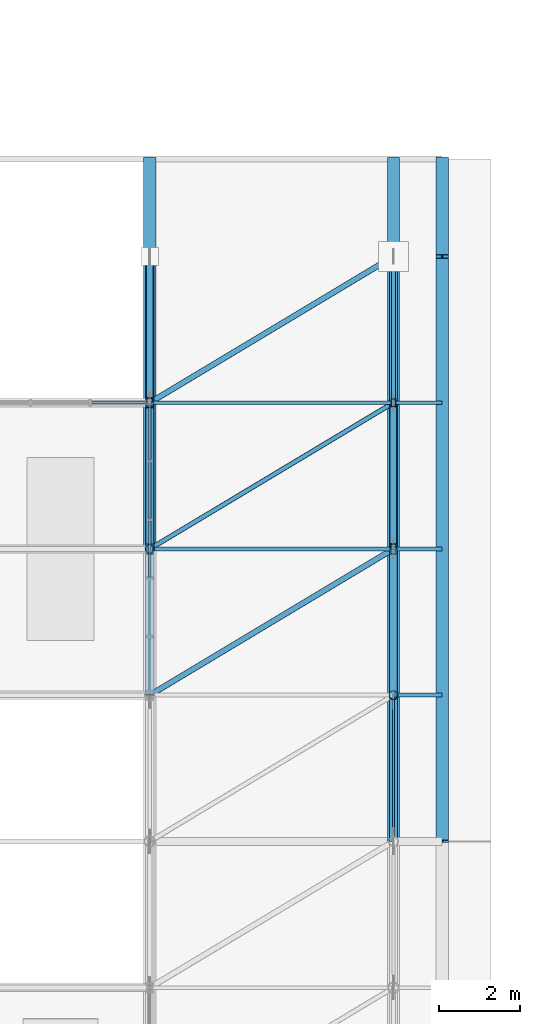
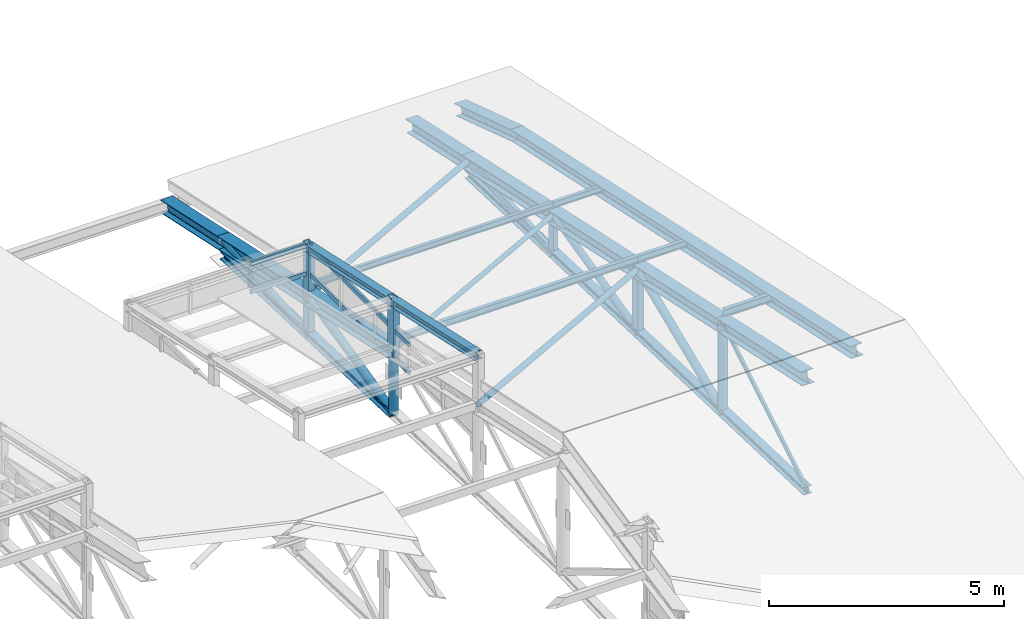
# One storey, part 45 of 124: 46 members, 2 elements without a shape of their own.
"""IFC4 building model written with IfcOpenShell, lengths in metres."""

from ifc_helpers import new_model, si_unit, direction, frame, origin, origin_2d, place, context, subcontext, project, spatial, hollow_rectangle, hollow_circle, i_section, extrude, material, layer, layer_set, material_profile, profile_set, type_object, element, aggregate, save


model = new_model("IFC4")

# Units and contexts
model_context = context("Model", 3, precision=1e-05, world=origin(), true_north=direction((0.0, 1.0)))
body_context = subcontext(model_context, "Body", "Model", "MODEL_VIEW")
ifc_project = project(units=[si_unit("LENGTHUNIT", "METRE"), si_unit("AREAUNIT", "SQUARE_METRE"), si_unit("VOLUMEUNIT", "CUBIC_METRE"), si_unit("PLANEANGLEUNIT", "RADIAN"), si_unit("MASSUNIT", "GRAM", prefix="KILO"), si_unit("THERMODYNAMICTEMPERATUREUNIT", "KELVIN"), si_unit("POWERUNIT", "WATT")], contexts=[model_context])

# Site, building, storey
site_placement = place(None, origin())
site = spatial("IfcSite", under=ifc_project, at=site_placement, CompositionType="ELEMENT")
building_placement = place(site_placement, origin())
building = spatial("IfcBuilding", under=site, at=building_placement, Name="Tavuni Mirador Residences", CompositionType="ELEMENT")
storey_placement = place(building_placement, frame((0.0, 0.0, 7.64990234375)))
storey = spatial("IfcBuildingStorey", under=building, at=storey_placement, Name="L02", CompositionType="ELEMENT", Elevation=7.64990234375)

# Curtain wall, members
ifc_material_1 = material(Name="Anodised aluminium", Category="aluminium")
ifc_layer = layer(ifc_material_1, 0.199951171875, Name="Anodised aluminium", Category="aluminium")
ifc_layer_set = layer_set([ifc_layer], Name="Anodised aluminium")
curtain_wall_type = type_object("IfcCurtainWallType", Name="CWT-HAL-01", PredefinedType="NOTDEFINED", material=ifc_layer_set)
curtain_wall_1_placement = place(storey_placement, origin())
curtain_wall_1 = element("IfcCurtainWall", 1, at=curtain_wall_1_placement, inside=storey, type_object=curtain_wall_type, Name="CW-HALL-MON-N3-E", PredefinedType="NOTDEFINED")
ifc_material_profile_1 = material_profile(ifc_material_1, hollow_rectangle(XDim=0.06005859375, YDim=0.110107421875, WallThickness=0.00390625, at=origin_2d()), Name="ALU 60x110x4.0", Category="aluminium")
ifc_profile_set_1 = profile_set([ifc_material_profile_1], Name="Anodised aluminium")
member_type_1 = type_object("IfcMemberType", Name="CWT-110", PredefinedType="USERDEFINED", material=ifc_profile_set_1)
member_1_placement = place(storey_placement, frame((68.39990234375, 92.909912109375, 1.205078125), z_axis=(0.0, 1.0, 0.0), x_axis=(-1.0, 0.0, 0.0)))
member_1 = element("IfcMember", 2, at=member_1_placement, type_object=member_type_1, Name="CW-06 transom 3.1", ObjectType="TRANSOM", PredefinedType="USERDEFINED", context=body_context, shape_type="SweptSolid", body=[
    extrude(hollow_rectangle(XDim=0.06005859375, YDim=0.110107421875, WallThickness=0.00390625, at=origin_2d()), origin(), (0.0, 0.0, 1.0), 1.380126953125),
])
member_2_placement = place(storey_placement, frame((68.39990234375, 92.909912109375, 1.93505859375), z_axis=(0.0, 1.0, 0.0), x_axis=(-1.0, 0.0, 0.0)))
member_2 = element("IfcMember", 3, at=member_2_placement, type_object=member_type_1, Name="CW-06 transom 3.2", ObjectType="TRANSOM", PredefinedType="USERDEFINED", context=body_context, shape_type="SweptSolid", body=[
    extrude(hollow_rectangle(XDim=0.06005859375, YDim=0.110107421875, WallThickness=0.00390625, at=origin_2d()), origin(), (0.0, 0.0, 1.0), 1.380126953125),
])
member_3_placement = place(storey_placement, frame((68.39990234375, 94.35009765625, 1.205078125), z_axis=(0.0, 1.0, 0.0), x_axis=(-1.0, 0.0, 0.0)))
member_3 = element("IfcMember", 4, at=member_3_placement, type_object=member_type_1, Name="CW-06 transom 4.1", ObjectType="TRANSOM", PredefinedType="USERDEFINED", context=body_context, shape_type="SweptSolid", body=[
    extrude(hollow_rectangle(XDim=0.06005859375, YDim=0.110107421875, WallThickness=0.00390625, at=origin_2d()), origin(), (0.0, 0.0, 1.0), 1.3798828125),
])
member_4_placement = place(storey_placement, frame((68.39990234375, 94.35009765625, 1.93505859375), z_axis=(0.0, 1.0, 0.0), x_axis=(-1.0, 0.0, 0.0)))
member_4 = element("IfcMember", 5, at=member_4_placement, type_object=member_type_1, Name="CW-06 transom 4.2", ObjectType="TRANSOM", PredefinedType="USERDEFINED", context=body_context, shape_type="SweptSolid", body=[
    extrude(hollow_rectangle(XDim=0.06005859375, YDim=0.110107421875, WallThickness=0.00390625, at=origin_2d()), origin(), (0.0, 0.0, 1.0), 1.3798828125),
])
member_5_placement = place(storey_placement, frame((68.39990234375, 95.7900390625, 1.205078125), z_axis=(0.0, 1.0, 0.0), x_axis=(-1.0, 0.0, 0.0)))
member_5 = element("IfcMember", 6, at=member_5_placement, type_object=member_type_1, Name="CW-06 transom 5.1", ObjectType="TRANSOM", PredefinedType="USERDEFINED", context=body_context, shape_type="SweptSolid", body=[
    extrude(hollow_rectangle(XDim=0.06005859375, YDim=0.110107421875, WallThickness=0.00390625, at=origin_2d()), origin(), (0.0, 0.0, 1.0), 1.349853515625),
])
member_6_placement = place(storey_placement, frame((68.39990234375, 95.7900390625, 1.93505859375), z_axis=(0.0, 1.0, 0.0), x_axis=(-1.0, 0.0, 0.0)))
member_6 = element("IfcMember", 7, at=member_6_placement, type_object=member_type_1, Name="CW-06 transom 5.2", ObjectType="TRANSOM", PredefinedType="USERDEFINED", context=body_context, shape_type="SweptSolid", body=[
    extrude(hollow_rectangle(XDim=0.06005859375, YDim=0.110107421875, WallThickness=0.00390625, at=origin_2d()), origin(), (0.0, 0.0, 1.0), 1.349853515625),
])
aggregate(curtain_wall_1, [member_1, member_2, member_3, member_4, member_5, member_6])

curtain_wall_2_placement = place(storey_placement, origin())
curtain_wall_2 = element("IfcCurtainWall", 8, at=curtain_wall_2_placement, inside=storey, type_object=curtain_wall_type, Name="CW-HALL-MON-N3-END", PredefinedType="NOTDEFINED")
member_7_placement = place(storey_placement, frame((66.96337890625, 97.199951171875, 1.205078125), z_axis=(1.0, 0.0, 0.0), x_axis=(0.0, 1.0, 0.0)))
member_7 = element("IfcMember", 9, at=member_7_placement, type_object=member_type_1, Name="CW-06 transom 3.1", ObjectType="TRANSOM", PredefinedType="USERDEFINED", context=body_context, shape_type="SweptSolid", body=[
    extrude(hollow_rectangle(XDim=0.06005859375, YDim=0.110107421875, WallThickness=0.00390625, at=origin_2d()), origin(), (0.0, 0.0, 1.0), 1.376708984375),
])
member_8_placement = place(storey_placement, frame((66.96337890625, 97.199951171875, 1.93505859375), z_axis=(1.0, 0.0, 0.0), x_axis=(0.0, 1.0, 0.0)))
member_8 = element("IfcMember", 10, at=member_8_placement, type_object=member_type_1, Name="CW-06 transom 3.2", ObjectType="TRANSOM", PredefinedType="USERDEFINED", context=body_context, shape_type="SweptSolid", body=[
    extrude(hollow_rectangle(XDim=0.06005859375, YDim=0.110107421875, WallThickness=0.00390625, at=origin_2d()), origin(), (0.0, 0.0, 1.0), 1.376708984375),
])
aggregate(curtain_wall_2, [member_7, member_8])

# Members
ifc_material_2 = material(Name="Structural steel S355", Category="steel")
ifc_material_profile_2 = material_profile(ifc_material_2, hollow_circle(Radius=0.05712890625, WallThickness=0.00634765625, at=origin_2d()), Name="CHS 114.3x6.3", Category="steel")
ifc_profile_set_2 = profile_set([ifc_material_profile_2], Name="Structural steel S355")
member_type_2 = type_object("IfcMemberType", Name="MT-BR-CHS114", PredefinedType="BRACE", material=ifc_profile_set_2)
member_9_placement = place(storey_placement, frame((68.39990234375, 93.60009765625, 1.380126953125), z_axis=(0.852288226605, 0.511352128145, -0.110108037088), x_axis=(-0.51448036188, 0.857502161653, 0.0)))
element("IfcMember", 11, at=member_9_placement, inside=storey, type_object=member_type_2, Name="HALL-RB-4-07", PredefinedType="BRACE", context=body_context, shape_type="SweptSolid", body=[
    extrude(hollow_circle(Radius=0.05712890625, WallThickness=0.00634765625, at=origin_2d()), origin(), (0.0, 0.0, 1.0), 7.039794921875),
])
ifc_material_profile_3 = material_profile(ifc_material_2, hollow_circle(Radius=0.06982421875, WallThickness=0.008056640625, at=origin_2d()), Name="CHS 139.7x8.0", Category="steel")
ifc_profile_set_3 = profile_set([ifc_material_profile_3], Name="Structural steel S355")
member_type_3 = type_object("IfcMemberType", Name="MT-BR-CHS139", PredefinedType="BRACE", material=ifc_profile_set_3)
for number, where, z_axis, x_axis, name in (
    (12, (68.39990234375, 90.0, 2.155029296875), (0.852276366217, 0.511379691416, -0.110071825617), (-0.514506017516, 0.857486768376, 0.0), "HALL-RB-4-06"),
    (13, (68.39990234375, 97.199951171875, 0.60498046875), (0.852276366217, 0.511379691416, -0.110071825617), (-0.514506017516, 0.857486768376, 0.0), "HALL-RB-4-08"),
):
    element("IfcMember", number, at=place(storey_placement, frame(where, z_axis=z_axis, x_axis=x_axis)), inside=storey, type_object=member_type_3, Name=name, PredefinedType="BRACE", context=body_context, shape_type="SweptSolid", body=[
        extrude(hollow_circle(Radius=0.06982421875, WallThickness=0.008056640625, at=origin_2d()), origin(), (0.0, 0.0, 1.0), 7.0400390625),
    ])
ifc_material_profile_4 = material_profile(ifc_material_2, hollow_circle(Radius=0.084228515625, WallThickness=0.008056640625, at=origin_2d()), Name="CHS 168.3x8.0", Category="steel")
ifc_profile_set_4 = profile_set([ifc_material_profile_4], Name="Structural steel S355")
member_type_4 = type_object("IfcMemberType", Name="MT-BR-CHS168", PredefinedType="BRACE", material=ifc_profile_set_4)
member_10_placement = place(storey_placement, frame((68.39990234375, 97.199951171875, -0.375), z_axis=(0.0, 0.998381455169, 0.05687240081), x_axis=(-1.0, 0.0, 0.0)))
element("IfcMember", 14, at=member_10_placement, inside=storey, type_object=member_type_4, Name="Roof truss TR-7 web diagonal 8", PredefinedType="BRACE", context=body_context, shape_type="SweptSolid", body=[
    extrude(hollow_circle(Radius=0.084228515625, WallThickness=0.008056640625, at=origin_2d()), origin(), (0.0, 0.0, 1.0), 3.60595703125),
])
member_11_placement = place(storey_placement, frame((74.39990234375, 93.60009765625, -0.25), z_axis=(0.0, 0.972935623557, 0.231076334601), x_axis=(-1.0, 0.0, 0.0)))
element("IfcMember", 15, at=member_11_placement, inside=storey, type_object=member_type_4, Name="Roof truss TR-8 web diagonal 7", PredefinedType="BRACE", context=body_context, shape_type="SweptSolid", body=[
    extrude(hollow_circle(Radius=0.084228515625, WallThickness=0.008056640625, at=origin_2d()), origin(), (0.0, 0.0, 1.0), 3.699951171875),
])
ifc_material_profile_5 = material_profile(ifc_material_2, hollow_circle(Radius=0.096923828125, WallThickness=0.010009765625, at=origin_2d()), Name="CHS 193.7x10.0", Category="steel")
ifc_profile_set_5 = profile_set([ifc_material_profile_5], Name="Structural steel S355")
member_type_5 = type_object("IfcMemberType", Name="MT-BR-CHS193", PredefinedType="BRACE", material=ifc_profile_set_5)
member_12_placement = place(storey_placement, frame((68.39990234375, 93.60009765625, -0.25), z_axis=(0.0, 0.972935623557, 0.231076334601), x_axis=(-1.0, 0.0, 0.0)))
element("IfcMember", 16, at=member_12_placement, inside=storey, type_object=member_type_5, Name="Roof truss TR-7 web diagonal 7", PredefinedType="BRACE", context=body_context, shape_type="SweptSolid", body=[
    extrude(hollow_circle(Radius=0.096923828125, WallThickness=0.010009765625, at=origin_2d()), origin(), (0.0, 0.0, 1.0), 3.699951171875),
])
member_13_placement = place(storey_placement, frame((74.39990234375, 90.0, -0.125), z_axis=(0.0, 0.922613480979, 0.385725763613), x_axis=(-1.0, 0.0, 0.0)))
element("IfcMember", 17, at=member_13_placement, inside=storey, type_object=member_type_5, Name="Roof truss TR-8 web diagonal 6", PredefinedType="BRACE", context=body_context, shape_type="SweptSolid", body=[
    extrude(hollow_circle(Radius=0.096923828125, WallThickness=0.010009765625, at=origin_2d()), origin(), (0.0, 0.0, 1.0), 3.902099609375),
])
ifc_material_profile_6 = material_profile(ifc_material_2, hollow_rectangle(XDim=0.06005859375, YDim=0.10009765625, WallThickness=0.0048828125, at=origin_2d()), Name="RHS 100x60x5.0", Category="steel")
ifc_profile_set_6 = profile_set([ifc_material_profile_6], Name="Structural steel S355")
member_type_6 = type_object("IfcMemberType", Name="MT-BR-RHS100", PredefinedType="BRACE", material=ifc_profile_set_6)
member_14_placement = place(storey_placement, frame((74.39990234375, 86.39990234375, 0.0), z_axis=(0.0, 0.858021287319, 0.513614126079), x_axis=(-1.0, 0.0, 0.0)))
element("IfcMember", 18, at=member_14_placement, inside=storey, type_object=member_type_6, Name="Roof truss TR-8 web diagonal 5", PredefinedType="BRACE", context=body_context, shape_type="SweptSolid", body=[
    extrude(hollow_rectangle(XDim=0.06005859375, YDim=0.10009765625, WallThickness=0.0048828125, at=origin_2d()), origin(), (0.0, 0.0, 1.0), 4.19580078125),
])
ifc_material_profile_7 = material_profile(ifc_material_2, hollow_rectangle(XDim=0.10009765625, YDim=0.179931640625, WallThickness=0.008056640625, at=origin_2d()), Name="RHS 180x100x8.0", Category="steel")
ifc_profile_set_7 = profile_set([ifc_material_profile_7], Name="Structural steel S355")
member_type_7 = type_object("IfcMemberType", Name="MT-BR-RHS180", PredefinedType="BRACE", material=ifc_profile_set_7)
member_15_placement = place(storey_placement, frame((74.39990234375, 97.199951171875, -0.375), z_axis=(0.0, 0.998381455169, 0.05687240081), x_axis=(-1.0, 0.0, 0.0)))
element("IfcMember", 19, at=member_15_placement, inside=storey, type_object=member_type_7, Name="Roof truss TR-8 web diagonal 8", PredefinedType="BRACE", context=body_context, shape_type="SweptSolid", body=[
    extrude(hollow_rectangle(XDim=0.10009765625, YDim=0.179931640625, WallThickness=0.008056640625, at=origin_2d()), origin(), (0.0, 0.0, 1.0), 3.60595703125),
])
ifc_material_profile_8 = material_profile(ifc_material_2, i_section(OverallWidth=0.300048828125, OverallDepth=0.2900390625, WebThickness=0.008544921875, FlangeThickness=0.013916015625, FilletRadius=0.027099609375, at=origin_2d()), Name="HEA 300", Category="steel")
ifc_profile_set_8 = profile_set([ifc_material_profile_8], Name="Structural steel S355")
member_type_8 = type_object("IfcMemberType", Name="MT-CH-HEA300", PredefinedType="CHORD", material=ifc_profile_set_8)
member_16_placement = place(storey_placement, frame((75.60009765625, 86.39990234375, 3.195068359375), z_axis=(0.0, 0.977605760984, -0.210444710293), x_axis=(-1.0, 0.0, 0.0)))
element("IfcMember", 20, at=member_16_placement, inside=storey, type_object=member_type_8, Name="HALL-GAB-E-N", PredefinedType="CHORD", context=body_context, shape_type="SweptSolid", body=[
    extrude(i_section(OverallWidth=0.300048828125, OverallDepth=0.2900390625, WebThickness=0.008544921875, FlangeThickness=0.013916015625, FilletRadius=0.027099609375, at=origin_2d()), origin(), (0.0, 0.0, 1.0), 14.72998046875),
])
member_17_placement = place(storey_placement, frame((75.60009765625, 100.800048828125, 0.09521484375), z_axis=(0.0, 0.950827717429, -0.309720279879), x_axis=(-1.0, 0.0, 0.0)))
element("IfcMember", 21, at=member_17_placement, inside=storey, type_object=member_type_8, Name="HALL-GAB-E-EN", PredefinedType="CHORD", context=body_context, shape_type="SweptSolid", body=[
    extrude(i_section(OverallWidth=0.300048828125, OverallDepth=0.2900390625, WebThickness=0.008544921875, FlangeThickness=0.013916015625, FilletRadius=0.027099609375, at=origin_2d()), origin(), (0.0, 0.0, 1.0), 2.52392578125),
])
ifc_material_profile_9 = material_profile(ifc_material_2, i_section(OverallWidth=0.300048828125, OverallDepth=0.330078125, WebThickness=0.009521484375, FlangeThickness=0.0166015625, FilletRadius=0.027099609375, at=origin_2d()), Name="HEA 340", Category="steel")
ifc_profile_set_9 = profile_set([ifc_material_profile_9], Name="Structural steel S355")
member_type_9 = type_object("IfcMemberType", Name="MT-CH-HEA340", PredefinedType="CHORD", material=ifc_profile_set_9)
member_18_placement = place(storey_placement, frame((68.39990234375, 100.800048828125, -0.169921875), z_axis=(0.0, 0.977606968822, -0.210439099291), x_axis=(-1.0, 0.0, 0.0)))
element("IfcMember", 22, at=member_18_placement, inside=storey, type_object=member_type_9, Name="Roof truss TR-7 north eave chord", PredefinedType="CHORD", context=body_context, shape_type="SweptSolid", body=[
    extrude(i_section(OverallWidth=0.300048828125, OverallDepth=0.330078125, WebThickness=0.009521484375, FlangeThickness=0.0166015625, FilletRadius=0.027099609375, at=origin_2d()), origin(), (0.0, 0.0, 1.0), 2.454833984375),
])
member_19_placement = place(storey_placement, frame((68.39990234375, 93.60009765625, 1.380126953125), z_axis=(0.0, 0.977593327089, -0.210502462768), x_axis=(-1.0, 0.0, 0.0)))
element("IfcMember", 23, at=member_19_placement, inside=storey, type_object=member_type_9, Name="Roof truss TR-7 top chord 7", PredefinedType="CHORD", context=body_context, shape_type="SweptSolid", body=[
    extrude(i_section(OverallWidth=0.300048828125, OverallDepth=0.330078125, WebThickness=0.009521484375, FlangeThickness=0.0166015625, FilletRadius=0.027099609375, at=origin_2d()), origin(), (0.0, 0.0, 1.0), 3.682373046875),
])
member_20_placement = place(storey_placement, frame((68.39990234375, 97.199951171875, 0.60498046875), z_axis=(0.0, 0.977609904647, -0.210425460284), x_axis=(-1.0, 0.0, 0.0)))
element("IfcMember", 24, at=member_20_placement, inside=storey, type_object=member_type_9, Name="Roof truss TR-7 top chord 8", PredefinedType="CHORD", context=body_context, shape_type="SweptSolid", body=[
    extrude(i_section(OverallWidth=0.300048828125, OverallDepth=0.330078125, WebThickness=0.009521484375, FlangeThickness=0.0166015625, FilletRadius=0.027099609375, at=origin_2d()), origin(), (0.0, 0.0, 1.0), 3.6826171875),
])
member_21_placement = place(storey_placement, frame((74.39990234375, 100.800048828125, -0.169921875), z_axis=(0.0, 0.977606968822, -0.210439099291), x_axis=(-1.0, 0.0, 0.0)))
element("IfcMember", 25, at=member_21_placement, inside=storey, type_object=member_type_9, Name="Roof truss TR-8 north eave chord", PredefinedType="CHORD", context=body_context, shape_type="SweptSolid", body=[
    extrude(i_section(OverallWidth=0.300048828125, OverallDepth=0.330078125, WebThickness=0.009521484375, FlangeThickness=0.0166015625, FilletRadius=0.027099609375, at=origin_2d()), origin(), (0.0, 0.0, 1.0), 2.454833984375),
])
for number, where, z_axis, x_axis, name in (
    (26, (74.39990234375, 86.39990234375, 2.93017578125), (0.0, 0.977596264641, -0.210488820035), (-1.0, 0.0, 0.0), "Roof truss TR-8 top chord 5"),
    (27, (74.39990234375, 90.0, 2.155029296875), (0.0, 0.977609904647, -0.210425460284), (-1.0, 0.0, 0.0), "Roof truss TR-8 top chord 6"),
):
    element("IfcMember", number, at=place(storey_placement, frame(where, z_axis=z_axis, x_axis=x_axis)), inside=storey, type_object=member_type_9, Name=name, PredefinedType="CHORD", context=body_context, shape_type="SweptSolid", body=[
        extrude(i_section(OverallWidth=0.300048828125, OverallDepth=0.330078125, WebThickness=0.009521484375, FlangeThickness=0.0166015625, FilletRadius=0.027099609375, at=origin_2d()), origin(), (0.0, 0.0, 1.0), 3.6826171875),
    ])
member_22_placement = place(storey_placement, frame((74.39990234375, 93.60009765625, 1.380126953125), z_axis=(0.0, 0.977593327089, -0.210502462768), x_axis=(-1.0, 0.0, 0.0)))
element("IfcMember", 28, at=member_22_placement, inside=storey, type_object=member_type_9, Name="Roof truss TR-8 top chord 7", PredefinedType="CHORD", context=body_context, shape_type="SweptSolid", body=[
    extrude(i_section(OverallWidth=0.300048828125, OverallDepth=0.330078125, WebThickness=0.009521484375, FlangeThickness=0.0166015625, FilletRadius=0.027099609375, at=origin_2d()), origin(), (0.0, 0.0, 1.0), 3.682373046875),
])
member_23_placement = place(storey_placement, frame((74.39990234375, 97.199951171875, 0.60498046875), z_axis=(0.0, 0.977609904647, -0.210425460284), x_axis=(-1.0, 0.0, 0.0)))
element("IfcMember", 29, at=member_23_placement, inside=storey, type_object=member_type_9, Name="Roof truss TR-8 top chord 8", PredefinedType="CHORD", context=body_context, shape_type="SweptSolid", body=[
    extrude(i_section(OverallWidth=0.300048828125, OverallDepth=0.330078125, WebThickness=0.009521484375, FlangeThickness=0.0166015625, FilletRadius=0.027099609375, at=origin_2d()), origin(), (0.0, 0.0, 1.0), 3.6826171875),
])
ifc_material_profile_10 = material_profile(ifc_material_2, i_section(OverallWidth=0.199951171875, OverallDepth=0.199951171875, WebThickness=0.009033203125, FlangeThickness=0.014892578125, FilletRadius=0.01806640625, at=origin_2d()), Name="HEB 200", Category="steel")
ifc_profile_set_10 = profile_set([ifc_material_profile_10], Name="Structural steel S355")
member_type_10 = type_object("IfcMemberType", Name="MT-CH-HEB200", PredefinedType="CHORD", material=ifc_profile_set_10)
member_24_placement = place(storey_placement, frame((68.39990234375, 93.60009765625, -0.25), z_axis=(0.0, 0.999397679205, -0.034702720363), x_axis=(-1.0, 0.0, 0.0)))
element("IfcMember", 30, at=member_24_placement, inside=storey, type_object=member_type_10, Name="Roof truss TR-7 bottom chord 7", PredefinedType="CHORD", context=body_context, shape_type="SweptSolid", body=[
    extrude(i_section(OverallWidth=0.199951171875, OverallDepth=0.199951171875, WebThickness=0.009033203125, FlangeThickness=0.014892578125, FilletRadius=0.01806640625, at=origin_2d()), origin(), (0.0, 0.0, 1.0), 3.60205078125),
])
for number, where, z_axis, x_axis, name in (
    (31, (68.39990234375, 97.199951171875, -0.375), (0.0, 0.999397760821, -0.034700369832), (-1.0, 0.0, 0.0), "Roof truss TR-7 bottom chord 8"),
    (32, (74.39990234375, 86.39990234375, 0.0), (0.0, 0.999397760821, -0.034700369832), (-1.0, 0.0, 0.0), "Roof truss TR-8 bottom chord 5"),
    (33, (74.39990234375, 90.0, -0.125), (0.0, 0.999397760821, -0.034700369832), (-1.0, 0.0, 0.0), "Roof truss TR-8 bottom chord 6"),
):
    element("IfcMember", number, at=place(storey_placement, frame(where, z_axis=z_axis, x_axis=x_axis)), inside=storey, type_object=member_type_10, Name=name, PredefinedType="CHORD", context=body_context, shape_type="SweptSolid", body=[
        extrude(i_section(OverallWidth=0.199951171875, OverallDepth=0.199951171875, WebThickness=0.009033203125, FlangeThickness=0.014892578125, FilletRadius=0.01806640625, at=origin_2d()), origin(), (0.0, 0.0, 1.0), 3.602294921875),
    ])
member_25_placement = place(storey_placement, frame((74.39990234375, 93.60009765625, -0.25), z_axis=(0.0, 0.999397679205, -0.034702720363), x_axis=(-1.0, 0.0, 0.0)))
element("IfcMember", 34, at=member_25_placement, inside=storey, type_object=member_type_10, Name="Roof truss TR-8 bottom chord 7", PredefinedType="CHORD", context=body_context, shape_type="SweptSolid", body=[
    extrude(i_section(OverallWidth=0.199951171875, OverallDepth=0.199951171875, WebThickness=0.009033203125, FlangeThickness=0.014892578125, FilletRadius=0.01806640625, at=origin_2d()), origin(), (0.0, 0.0, 1.0), 3.60205078125),
])
member_26_placement = place(storey_placement, frame((74.39990234375, 97.199951171875, -0.375), z_axis=(0.0, 0.999397760821, -0.034700369832), x_axis=(-1.0, 0.0, 0.0)))
element("IfcMember", 35, at=member_26_placement, inside=storey, type_object=member_type_10, Name="Roof truss TR-8 bottom chord 8", PredefinedType="CHORD", context=body_context, shape_type="SweptSolid", body=[
    extrude(i_section(OverallWidth=0.199951171875, OverallDepth=0.199951171875, WebThickness=0.009033203125, FlangeThickness=0.014892578125, FilletRadius=0.01806640625, at=origin_2d()), origin(), (0.0, 0.0, 1.0), 3.602294921875),
])
ifc_material_profile_11 = material_profile(ifc_material_2, i_section(OverallWidth=0.199951171875, OverallDepth=0.18994140625, WebThickness=0.006591796875, FlangeThickness=0.010009765625, FilletRadius=0.01806640625, at=origin_2d()), Name="HEA 200", Category="steel")
ifc_profile_set_11 = profile_set([ifc_material_profile_11], Name="Structural steel S355")
member_type_11 = type_object("IfcMemberType", Name="MT-PR-HEA200", PredefinedType="PURLIN", material=ifc_profile_set_11)
member_27_placement = place(storey_placement, frame((68.39990234375, 90.0, 3.4150390625), z_axis=(0.0, 0.977601616837, -0.21046396071), x_axis=(-1.0, 0.0, 0.0)))
element("IfcMember", 36, at=member_27_placement, inside=storey, type_object=member_type_11, Name="HALL-MRAF-3-N-E", PredefinedType="PURLIN", context=body_context, shape_type="SweptSolid", body=[
    extrude(i_section(OverallWidth=0.199951171875, OverallDepth=0.18994140625, WebThickness=0.006591796875, FlangeThickness=0.010009765625, FilletRadius=0.01806640625, at=origin_2d()), origin(), (0.0, 0.0, 1.0), 7.364990234375),
])
ifc_material_profile_12 = material_profile(ifc_material_2, i_section(OverallWidth=0.08203125, OverallDepth=0.159912109375, WebThickness=0.0048828125, FlangeThickness=0.00732421875, FilletRadius=0.009033203125, at=origin_2d()), Name="IPE 160", Category="steel")
ifc_profile_set_12 = profile_set([ifc_material_profile_12], Name="Structural steel S355")
member_type_12 = type_object("IfcMemberType", Name="MT-PR-IPE160", PredefinedType="PURLIN", material=ifc_profile_set_12)
member_28_placement = place(storey_placement, frame((68.39990234375, 97.199951171875, 0.8701171875), z_axis=(1.0, 0.0, 0.0), x_axis=(0.0, 1.0, 0.0)))
element("IfcMember", 37, at=member_28_placement, inside=storey, type_object=member_type_12, Name="HALL-PUR-06-S4-1", PredefinedType="PURLIN", context=body_context, shape_type="SweptSolid", body=[
    extrude(i_section(OverallWidth=0.08203125, OverallDepth=0.159912109375, WebThickness=0.0048828125, FlangeThickness=0.00732421875, FilletRadius=0.009033203125, at=origin_2d()), origin(), (0.0, 0.0, 1.0), 6.0),
])
member_29_placement = place(storey_placement, frame((74.39990234375, 97.199951171875, 0.8701171875), z_axis=(1.0, 0.0, 0.0), x_axis=(0.0, 1.0, 0.0)))
element("IfcMember", 38, at=member_29_placement, inside=storey, type_object=member_type_12, Name="HALL-PUR-06-S4-2", PredefinedType="PURLIN", context=body_context, shape_type="SweptSolid", body=[
    extrude(i_section(OverallWidth=0.08203125, OverallDepth=0.159912109375, WebThickness=0.0048828125, FlangeThickness=0.00732421875, FilletRadius=0.009033203125, at=origin_2d()), origin(), (0.0, 0.0, 1.0), 1.2001953125),
])
ifc_material_profile_13 = material_profile(ifc_material_2, i_section(OverallWidth=0.091064453125, OverallDepth=0.179931640625, WebThickness=0.00537109375, FlangeThickness=0.008056640625, FilletRadius=0.009033203125, at=origin_2d()), Name="IPE 180", Category="steel")
ifc_profile_set_13 = profile_set([ifc_material_profile_13], Name="Structural steel S355")
member_type_13 = type_object("IfcMemberType", Name="MT-PR-IPE180", PredefinedType="PURLIN", material=ifc_profile_set_13)
member_30_placement = place(storey_placement, frame((68.39990234375, 93.60009765625, 1.64501953125), z_axis=(1.0, 0.0, 0.0), x_axis=(0.0, 1.0, 0.0)))
element("IfcMember", 39, at=member_30_placement, inside=storey, type_object=member_type_13, Name="HALL-PUR-05-S4-1", PredefinedType="PURLIN", context=body_context, shape_type="SweptSolid", body=[
    extrude(i_section(OverallWidth=0.091064453125, OverallDepth=0.179931640625, WebThickness=0.00537109375, FlangeThickness=0.008056640625, FilletRadius=0.009033203125, at=origin_2d()), origin(), (0.0, 0.0, 1.0), 6.0),
])
member_31_placement = place(storey_placement, frame((74.39990234375, 93.60009765625, 1.64501953125), z_axis=(1.0, 0.0, 0.0), x_axis=(0.0, 1.0, 0.0)))
element("IfcMember", 40, at=member_31_placement, inside=storey, type_object=member_type_13, Name="HALL-PUR-05-S4-2", PredefinedType="PURLIN", context=body_context, shape_type="SweptSolid", body=[
    extrude(i_section(OverallWidth=0.091064453125, OverallDepth=0.179931640625, WebThickness=0.00537109375, FlangeThickness=0.008056640625, FilletRadius=0.009033203125, at=origin_2d()), origin(), (0.0, 0.0, 1.0), 1.2001953125),
])
ifc_material_profile_14 = material_profile(ifc_material_2, i_section(OverallWidth=0.10009765625, OverallDepth=0.199951171875, WebThickness=0.005615234375, FlangeThickness=0.008544921875, FilletRadius=0.011962890625, at=origin_2d()), Name="IPE 200", Category="steel")
ifc_profile_set_14 = profile_set([ifc_material_profile_14], Name="Structural steel S355")
member_type_14 = type_object("IfcMemberType", Name="MT-PR-IPE200", PredefinedType="PURLIN", material=ifc_profile_set_14)
member_32_placement = place(storey_placement, frame((74.39990234375, 90.0, 2.420166015625), z_axis=(1.0, 0.0, 0.0), x_axis=(0.0, 1.0, 0.0)))
element("IfcMember", 41, at=member_32_placement, inside=storey, type_object=member_type_14, Name="HALL-PUR-04-S4-2", PredefinedType="PURLIN", context=body_context, shape_type="SweptSolid", body=[
    extrude(i_section(OverallWidth=0.10009765625, OverallDepth=0.199951171875, WebThickness=0.005615234375, FlangeThickness=0.008544921875, FilletRadius=0.011962890625, at=origin_2d()), origin(), (0.0, 0.0, 1.0), 1.2001953125),
])
ifc_material_profile_15 = material_profile(ifc_material_2, hollow_circle(Radius=0.109619140625, WallThickness=0.010009765625, at=origin_2d()), Name="CHS 219.1x10.0", Category="steel")
ifc_profile_set_15 = profile_set([ifc_material_profile_15], Name="Structural steel S355")
member_type_15 = type_object("IfcMemberType", Name="MT-ST-CHS219", PredefinedType="STRUT", material=ifc_profile_set_15)
member_33_placement = place(storey_placement, frame((68.39990234375, 93.60009765625, -0.25), z_axis=(0.0, 0.0, 1.0), x_axis=(1.0, 0.0, 0.0)))
element("IfcMember", 42, at=member_33_placement, inside=storey, type_object=member_type_15, Name="Roof truss TR-7 vertical 7", PredefinedType="STRUT", context=body_context, shape_type="SweptSolid", body=[
    extrude(hollow_circle(Radius=0.109619140625, WallThickness=0.010009765625, at=origin_2d()), origin(), (0.0, 0.0, 1.0), 1.630126953125),
])
member_34_placement = place(storey_placement, frame((74.39990234375, 90.0, -0.125), z_axis=(0.0, 0.0, 1.0), x_axis=(1.0, 0.0, 0.0)))
element("IfcMember", 43, at=member_34_placement, inside=storey, type_object=member_type_15, Name="Roof truss TR-8 vertical 6", PredefinedType="STRUT", context=body_context, shape_type="SweptSolid", body=[
    extrude(hollow_circle(Radius=0.109619140625, WallThickness=0.010009765625, at=origin_2d()), origin(), (0.0, 0.0, 1.0), 2.280029296875),
])
ifc_material_profile_16 = material_profile(ifc_material_2, hollow_rectangle(XDim=0.1201171875, YDim=0.199951171875, WallThickness=0.010009765625, at=origin_2d()), Name="RHS 200x120x10.0", Category="steel")
ifc_profile_set_16 = profile_set([ifc_material_profile_16], Name="Structural steel S355")
member_type_16 = type_object("IfcMemberType", Name="MT-ST-RHS200", PredefinedType="STRUT", material=ifc_profile_set_16)
member_35_placement = place(storey_placement, frame((74.39990234375, 97.199951171875, -0.375), z_axis=(0.0, 0.0, 1.0), x_axis=(1.0, 0.0, 0.0)))
element("IfcMember", 44, at=member_35_placement, inside=storey, type_object=member_type_16, Name="Roof truss TR-8 vertical 8", PredefinedType="STRUT", context=body_context, shape_type="SweptSolid", body=[
    extrude(hollow_rectangle(XDim=0.1201171875, YDim=0.199951171875, WallThickness=0.010009765625, at=origin_2d()), origin(), (0.0, 0.0, 1.0), 0.97998046875),
])
ifc_material_profile_17 = material_profile(ifc_material_2, hollow_rectangle(XDim=0.14990234375, YDim=0.25, WallThickness=0.010009765625, at=origin_2d()), Name="RHS 250x150x10.0", Category="steel")
ifc_profile_set_17 = profile_set([ifc_material_profile_17], Name="Structural steel S355")
member_type_17 = type_object("IfcMemberType", Name="MT-ST-RHS250", PredefinedType="STRUT", material=ifc_profile_set_17)
member_36_placement = place(storey_placement, frame((68.39990234375, 97.199951171875, -0.375), z_axis=(0.0, 0.0, 1.0), x_axis=(1.0, 0.0, 0.0)))
element("IfcMember", 45, at=member_36_placement, inside=storey, type_object=member_type_17, Name="Roof truss TR-7 vertical 8", PredefinedType="STRUT", context=body_context, shape_type="SweptSolid", body=[
    extrude(hollow_rectangle(XDim=0.14990234375, YDim=0.25, WallThickness=0.010009765625, at=origin_2d()), origin(), (0.0, 0.0, 1.0), 0.97998046875),
])
member_37_placement = place(storey_placement, frame((74.39990234375, 93.60009765625, -0.25), z_axis=(0.0, 0.0, 1.0), x_axis=(1.0, 0.0, 0.0)))
element("IfcMember", 46, at=member_37_placement, inside=storey, type_object=member_type_17, Name="Roof truss TR-8 vertical 7", PredefinedType="STRUT", context=body_context, shape_type="SweptSolid", body=[
    extrude(hollow_rectangle(XDim=0.14990234375, YDim=0.25, WallThickness=0.010009765625, at=origin_2d()), origin(), (0.0, 0.0, 1.0), 1.630126953125),
])
for number, where, z_axis, x_axis, name in (
    (47, (68.39990234375, 93.60009765625, 1.260009765625), (0.0, 0.0, 1.0), (1.0, 0.0, 0.0), "HALL-MPST-3-N-E2"),
    (48, (68.39990234375, 97.199951171875, 0.485107421875), (0.0, 0.0, 1.0), (1.0, 0.0, 0.0), "HALL-MPST-3-N-E3"),
):
    element("IfcMember", number, at=place(storey_placement, frame(where, z_axis=z_axis, x_axis=x_axis)), inside=storey, type_object=member_type_17, Name=name, PredefinedType="STRUT", context=body_context, shape_type="SweptSolid", body=[
        extrude(hollow_rectangle(XDim=0.14990234375, YDim=0.25, WallThickness=0.010009765625, at=origin_2d()), origin(), (0.0, 0.0, 1.0), 1.489990234375),
    ])

save(model, "model.ifc")
